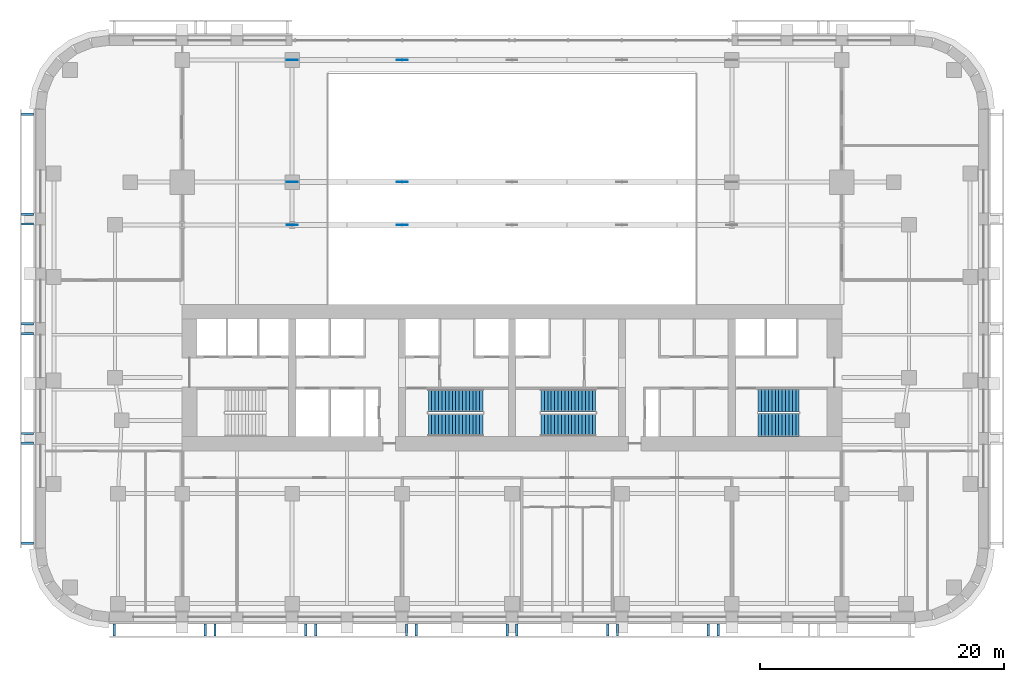
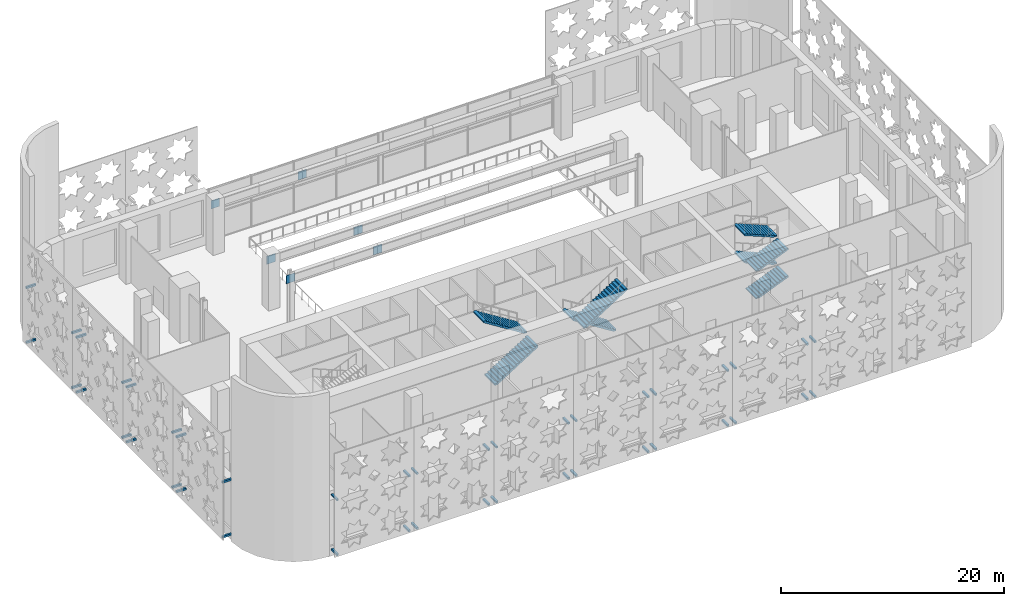
# One storey, part 9 of 17: 48 discrete accessories, 8 stair flights, 3 elements without a shape of their own.
"""IFC4 building model written with IfcOpenShell, lengths in metres."""

from ifc_helpers import new_model, si_unit, direction, frame, origin, origin_2d, place, context, subcontext, project, spatial, polyline, rectangle, outline, extrude, material, type_object, element, aggregate, save


model = new_model("IFC4")

# Units and contexts
model_context = context("Model", 3, precision=1e-05, world=origin(), true_north=direction((0.0, 1.0)))
body_context = subcontext(model_context, "Body", "Model", "MODEL_VIEW")
ifc_project = project(units=[si_unit("LENGTHUNIT", "METRE"), si_unit("AREAUNIT", "SQUARE_METRE"), si_unit("VOLUMEUNIT", "CUBIC_METRE"), si_unit("PLANEANGLEUNIT", "RADIAN"), si_unit("MASSUNIT", "GRAM", prefix="KILO")], contexts=[model_context])

# Site, building, storey
site_placement = place(None, origin())
site = spatial("IfcSite", under=ifc_project, at=site_placement, CompositionType="ELEMENT")
building_placement = place(site_placement, origin())
building = spatial("IfcBuilding", under=site, at=building_placement, Name="Zellij Exchange Tower", CompositionType="ELEMENT")
storey_placement = place(building_placement, frame((0.0, 0.0, 21.0)))
storey = spatial("IfcBuildingStorey", under=building, at=storey_placement, Name="L03", CompositionType="ELEMENT", Elevation=21.0)

# Stair, stair flights
ifc_material_1 = material(Name="Concrete C40/50", Category="concrete")
stair_type = type_object("IfcStairType", Name="CORE-ST exit stair 1850 wide", PredefinedType="HALF_TURN_STAIR", material=ifc_material_1)
stair_1_placement = place(storey_placement, origin())
stair_1 = element("IfcStair", 1, at=stair_1_placement, inside=storey, type_object=stair_type, Name="L03 exit stair ST4", PredefinedType="HALF_TURN_STAIR")
stair_flight_type_1 = type_object("IfcStairFlightType", Name="CORE-SF flight 1850 riser 115.4 going 280", PredefinedType="STRAIGHT", material=ifc_material_1)
stair_flight_1_placement = place(storey_placement, frame((20.14990234375, -11.875, 0.0), z_axis=(0.0, 0.0, 1.0), x_axis=(1.0, 0.0, 0.0)))
stair_flight_1 = element("IfcStairFlight", 2, at=stair_flight_1_placement, type_object=stair_flight_type_1, Name="ST4 flight 1", NumberOfRisers=13, NumberOfTreads=12, PredefinedType="STRAIGHT", RiserHeight=0.115384615, TreadLength=0.28, context=body_context, shape_type="SweptSolid", body=[
    extrude(outline(polyline([(0.0, 0.0), (0.0, 0.115478515625), (0.280029296875, 0.115478515625), (0.280029296875, 0.230712890625), (0.56005859375, 0.230712890625), (0.56005859375, 0.34619140625), (0.840087890625, 0.34619140625), (0.840087890625, 0.46142578125), (1.1201171875, 0.46142578125), (1.1201171875, 0.576904296875), (1.39990234375, 0.576904296875), (1.39990234375, 0.6923828125), (1.679931640625, 0.6923828125), (1.679931640625, 0.8076171875), (1.9599609375, 0.8076171875), (1.9599609375, 0.923095703125), (2.239990234375, 0.923095703125), (2.239990234375, 1.03857421875), (2.52001953125, 1.03857421875), (2.52001953125, 1.15380859375), (2.800048828125, 1.15380859375), (2.800048828125, 1.269287109375), (3.080078125, 1.269287109375), (3.080078125, 1.384521484375), (3.360107421875, 1.384521484375), (3.360107421875, 1.5), (3.360107421875, 1.222412109375), (0.3935546875, 0.0), (0.0, 0.0)])), frame((0.0, 0.925048828125, 0.0), z_axis=(0.0, -1.0, 0.0), x_axis=(1.0, 0.0, 0.0)), (0.0, 0.0, 1.0), 1.85009765625),
])
stair_flight_2_placement = place(storey_placement, frame((23.510009765625, -9.875, 1.5), z_axis=(0.0, 0.0, 1.0), x_axis=(-1.0, 0.0, 0.0)))
stair_flight_2 = element("IfcStairFlight", 3, at=stair_flight_2_placement, type_object=stair_flight_type_1, Name="ST4 flight 2", NumberOfRisers=13, NumberOfTreads=12, PredefinedType="STRAIGHT", RiserHeight=0.115384615, TreadLength=0.28, context=body_context, shape_type="SweptSolid", body=[
    extrude(outline(polyline([(0.0, 0.0), (0.0, 0.115478515625), (0.280029296875, 0.115478515625), (0.280029296875, 0.230712890625), (0.56005859375, 0.230712890625), (0.56005859375, 0.34619140625), (0.840087890625, 0.34619140625), (0.840087890625, 0.46142578125), (1.1201171875, 0.46142578125), (1.1201171875, 0.576904296875), (1.39990234375, 0.576904296875), (1.39990234375, 0.6923828125), (1.679931640625, 0.6923828125), (1.679931640625, 0.8076171875), (1.9599609375, 0.8076171875), (1.9599609375, 0.923095703125), (2.239990234375, 0.923095703125), (2.239990234375, 1.03857421875), (2.52001953125, 1.03857421875), (2.52001953125, 1.15380859375), (2.800048828125, 1.15380859375), (2.800048828125, 1.269287109375), (3.080078125, 1.269287109375), (3.080078125, 1.384521484375), (3.360107421875, 1.384521484375), (3.360107421875, 1.5), (3.360107421875, 1.222412109375), (0.3935546875, 0.0), (0.0, 0.0)])), frame((0.0, 0.925048828125, 0.0), z_axis=(0.0, -1.0, 0.0), x_axis=(1.0, 0.0, 0.0)), (0.0, 0.0, 1.0), 1.85009765625),
])
stair_flight_3_placement = place(storey_placement, frame((20.14990234375, -11.875, 3.0), z_axis=(0.0, 0.0, 1.0), x_axis=(1.0, 0.0, 0.0)))
stair_flight_3 = element("IfcStairFlight", 4, at=stair_flight_3_placement, type_object=stair_flight_type_1, Name="ST4 flight 3", NumberOfRisers=13, NumberOfTreads=12, PredefinedType="STRAIGHT", RiserHeight=0.115384615, TreadLength=0.28, context=body_context, shape_type="SweptSolid", body=[
    extrude(outline(polyline([(0.0, 0.0), (0.0, 0.115478515625), (0.280029296875, 0.115478515625), (0.280029296875, 0.230712890625), (0.56005859375, 0.230712890625), (0.56005859375, 0.34619140625), (0.840087890625, 0.34619140625), (0.840087890625, 0.46142578125), (1.1201171875, 0.46142578125), (1.1201171875, 0.576904296875), (1.39990234375, 0.576904296875), (1.39990234375, 0.6923828125), (1.679931640625, 0.6923828125), (1.679931640625, 0.8076171875), (1.9599609375, 0.8076171875), (1.9599609375, 0.923095703125), (2.239990234375, 0.923095703125), (2.239990234375, 1.03857421875), (2.52001953125, 1.03857421875), (2.52001953125, 1.15380859375), (2.800048828125, 1.15380859375), (2.800048828125, 1.269287109375), (3.080078125, 1.269287109375), (3.080078125, 1.384521484375), (3.360107421875, 1.384521484375), (3.360107421875, 1.5), (3.360107421875, 1.222412109375), (0.3935546875, 0.0), (0.0, 0.0)])), frame((0.0, 0.925048828125, 0.0), z_axis=(0.0, -1.0, 0.0), x_axis=(1.0, 0.0, 0.0)), (0.0, 0.0, 1.0), 1.85009765625),
])
stair_flight_4_placement = place(storey_placement, frame((23.510009765625, -9.875, 4.5), z_axis=(0.0, 0.0, 1.0), x_axis=(-1.0, 0.0, 0.0)))
stair_flight_4 = element("IfcStairFlight", 5, at=stair_flight_4_placement, type_object=stair_flight_type_1, Name="ST4 flight 4", NumberOfRisers=13, NumberOfTreads=12, PredefinedType="STRAIGHT", RiserHeight=0.115384615, TreadLength=0.28, context=body_context, shape_type="SweptSolid", body=[
    extrude(outline(polyline([(0.0, 0.0), (0.0, 0.115478515625), (0.280029296875, 0.115478515625), (0.280029296875, 0.230712890625), (0.56005859375, 0.230712890625), (0.56005859375, 0.34619140625), (0.840087890625, 0.34619140625), (0.840087890625, 0.46142578125), (1.1201171875, 0.46142578125), (1.1201171875, 0.576904296875), (1.39990234375, 0.576904296875), (1.39990234375, 0.6923828125), (1.679931640625, 0.6923828125), (1.679931640625, 0.8076171875), (1.9599609375, 0.8076171875), (1.9599609375, 0.923095703125), (2.239990234375, 0.923095703125), (2.239990234375, 1.03857421875), (2.52001953125, 1.03857421875), (2.52001953125, 1.15380859375), (2.800048828125, 1.15380859375), (2.800048828125, 1.269287109375), (3.080078125, 1.269287109375), (3.080078125, 1.384521484375), (3.360107421875, 1.384521484375), (3.360107421875, 1.5), (3.360107421875, 1.222412109375), (0.3935546875, 0.0), (0.0, 0.0)])), frame((0.0, 0.925048828125, 0.0), z_axis=(0.0, -1.0, 0.0), x_axis=(1.0, 0.0, 0.0)), (0.0, 0.0, 1.0), 1.85009765625),
])
aggregate(stair_1, [stair_flight_1, stair_flight_2, stair_flight_3, stair_flight_4])

stair_2_placement = place(storey_placement, origin())
stair_2 = element("IfcStair", 6, at=stair_2_placement, inside=storey, type_object=stair_type, Name="L03 exit stair ST2", PredefinedType="HALF_TURN_STAIR")
stair_flight_type_2 = type_object("IfcStairFlightType", Name="CORE-SF flight 1850 riser 176.5 going 280", PredefinedType="STRAIGHT", material=ifc_material_1)
stair_flight_5_placement = place(storey_placement, frame((-6.85009765625, -11.875, 0.0), z_axis=(0.0, 0.0, 1.0), x_axis=(1.0, 0.0, 0.0)))
stair_flight_5 = element("IfcStairFlight", 7, at=stair_flight_5_placement, type_object=stair_flight_type_2, Name="ST2 flight 1", NumberOfRisers=17, NumberOfTreads=16, PredefinedType="STRAIGHT", RiserHeight=0.176470588, TreadLength=0.28, context=body_context, shape_type="SweptSolid", body=[
    extrude(outline(polyline([(0.0, 0.0), (0.0, 0.176513671875), (0.280029296875, 0.176513671875), (0.280029296875, 0.35302734375), (0.56005859375, 0.35302734375), (0.56005859375, 0.529296875), (0.840087890625, 0.529296875), (0.840087890625, 0.705810546875), (1.1201171875, 0.705810546875), (1.1201171875, 0.88232421875), (1.39990234375, 0.88232421875), (1.39990234375, 1.058837890625), (1.679931640625, 1.058837890625), (1.679931640625, 1.2353515625), (1.9599609375, 1.2353515625), (1.9599609375, 1.411865234375), (2.239990234375, 1.411865234375), (2.239990234375, 1.588134765625), (2.52001953125, 1.588134765625), (2.52001953125, 1.7646484375), (2.800048828125, 1.7646484375), (2.800048828125, 1.941162109375), (3.080078125, 1.941162109375), (3.080078125, 2.11767578125), (3.360107421875, 2.11767578125), (3.360107421875, 2.294189453125), (3.639892578125, 2.294189453125), (3.639892578125, 2.470703125), (3.919921875, 2.470703125), (3.919921875, 2.64697265625), (4.199951171875, 2.64697265625), (4.199951171875, 2.823486328125), (4.47998046875, 2.823486328125), (4.47998046875, 3.0), (4.47998046875, 2.646240234375), (0.28125, 0.0), (0.0, 0.0)])), frame((0.0, 0.925048828125, 0.0), z_axis=(0.0, -1.0, 0.0), x_axis=(1.0, 0.0, 0.0)), (0.0, 0.0, 1.0), 1.85009765625),
])
stair_flight_6_placement = place(storey_placement, frame((-2.3701171875, -9.875, 3.0), z_axis=(0.0, 0.0, 1.0), x_axis=(-1.0, 0.0, 0.0)))
stair_flight_6 = element("IfcStairFlight", 8, at=stair_flight_6_placement, type_object=stair_flight_type_2, Name="ST2 flight 2", NumberOfRisers=17, NumberOfTreads=16, PredefinedType="STRAIGHT", RiserHeight=0.176470588, TreadLength=0.28, context=body_context, shape_type="SweptSolid", body=[
    extrude(outline(polyline([(0.0, 0.0), (0.0, 0.176513671875), (0.280029296875, 0.176513671875), (0.280029296875, 0.35302734375), (0.56005859375, 0.35302734375), (0.56005859375, 0.529296875), (0.840087890625, 0.529296875), (0.840087890625, 0.705810546875), (1.1201171875, 0.705810546875), (1.1201171875, 0.88232421875), (1.39990234375, 0.88232421875), (1.39990234375, 1.058837890625), (1.679931640625, 1.058837890625), (1.679931640625, 1.2353515625), (1.9599609375, 1.2353515625), (1.9599609375, 1.411865234375), (2.239990234375, 1.411865234375), (2.239990234375, 1.588134765625), (2.52001953125, 1.588134765625), (2.52001953125, 1.7646484375), (2.800048828125, 1.7646484375), (2.800048828125, 1.941162109375), (3.080078125, 1.941162109375), (3.080078125, 2.11767578125), (3.360107421875, 2.11767578125), (3.360107421875, 2.294189453125), (3.639892578125, 2.294189453125), (3.639892578125, 2.470703125), (3.919921875, 2.470703125), (3.919921875, 2.64697265625), (4.199951171875, 2.64697265625), (4.199951171875, 2.823486328125), (4.47998046875, 2.823486328125), (4.47998046875, 3.0), (4.47998046875, 2.646240234375), (0.28125, 0.0), (0.0, 0.0)])), frame((0.0, 0.925048828125, 0.0), z_axis=(0.0, -1.0, 0.0), x_axis=(1.0, 0.0, 0.0)), (0.0, 0.0, 1.0), 1.85009765625),
])
aggregate(stair_2, [stair_flight_5, stair_flight_6])

stair_3_placement = place(storey_placement, origin())
stair_3 = element("IfcStair", 9, at=stair_3_placement, inside=storey, type_object=stair_type, Name="L03 exit stair ST3", PredefinedType="HALF_TURN_STAIR")
stair_flight_7_placement = place(storey_placement, frame((6.85009765625, -9.875, 0.0), z_axis=(0.0, 0.0, 1.0), x_axis=(-1.0, 0.0, 0.0)))
stair_flight_7 = element("IfcStairFlight", 10, at=stair_flight_7_placement, type_object=stair_flight_type_2, Name="ST3 flight 1", NumberOfRisers=17, NumberOfTreads=16, PredefinedType="STRAIGHT", RiserHeight=0.176470588, TreadLength=0.28, context=body_context, shape_type="SweptSolid", body=[
    extrude(outline(polyline([(0.0, 0.0), (0.0, 0.176513671875), (0.280029296875, 0.176513671875), (0.280029296875, 0.35302734375), (0.56005859375, 0.35302734375), (0.56005859375, 0.529296875), (0.840087890625, 0.529296875), (0.840087890625, 0.705810546875), (1.1201171875, 0.705810546875), (1.1201171875, 0.88232421875), (1.39990234375, 0.88232421875), (1.39990234375, 1.058837890625), (1.679931640625, 1.058837890625), (1.679931640625, 1.2353515625), (1.9599609375, 1.2353515625), (1.9599609375, 1.411865234375), (2.239990234375, 1.411865234375), (2.239990234375, 1.588134765625), (2.52001953125, 1.588134765625), (2.52001953125, 1.7646484375), (2.800048828125, 1.7646484375), (2.800048828125, 1.941162109375), (3.080078125, 1.941162109375), (3.080078125, 2.11767578125), (3.360107421875, 2.11767578125), (3.360107421875, 2.294189453125), (3.639892578125, 2.294189453125), (3.639892578125, 2.470703125), (3.919921875, 2.470703125), (3.919921875, 2.64697265625), (4.199951171875, 2.64697265625), (4.199951171875, 2.823486328125), (4.47998046875, 2.823486328125), (4.47998046875, 3.0), (4.47998046875, 2.646240234375), (0.28125, 0.0), (0.0, 0.0)])), frame((0.0, 0.925048828125, 0.0), z_axis=(0.0, -1.0, 0.0), x_axis=(1.0, 0.0, 0.0)), (0.0, 0.0, 1.0), 1.85009765625),
])
stair_flight_8_placement = place(storey_placement, frame((2.3701171875, -11.875, 3.0), z_axis=(0.0, 0.0, 1.0), x_axis=(1.0, 0.0, 0.0)))
stair_flight_8 = element("IfcStairFlight", 11, at=stair_flight_8_placement, type_object=stair_flight_type_2, Name="ST3 flight 2", NumberOfRisers=17, NumberOfTreads=16, PredefinedType="STRAIGHT", RiserHeight=0.176470588, TreadLength=0.28, context=body_context, shape_type="SweptSolid", body=[
    extrude(outline(polyline([(0.0, 0.0), (0.0, 0.176513671875), (0.280029296875, 0.176513671875), (0.280029296875, 0.35302734375), (0.56005859375, 0.35302734375), (0.56005859375, 0.529296875), (0.840087890625, 0.529296875), (0.840087890625, 0.705810546875), (1.1201171875, 0.705810546875), (1.1201171875, 0.88232421875), (1.39990234375, 0.88232421875), (1.39990234375, 1.058837890625), (1.679931640625, 1.058837890625), (1.679931640625, 1.2353515625), (1.9599609375, 1.2353515625), (1.9599609375, 1.411865234375), (2.239990234375, 1.411865234375), (2.239990234375, 1.588134765625), (2.52001953125, 1.588134765625), (2.52001953125, 1.7646484375), (2.800048828125, 1.7646484375), (2.800048828125, 1.941162109375), (3.080078125, 1.941162109375), (3.080078125, 2.11767578125), (3.360107421875, 2.11767578125), (3.360107421875, 2.294189453125), (3.639892578125, 2.294189453125), (3.639892578125, 2.470703125), (3.919921875, 2.470703125), (3.919921875, 2.64697265625), (4.199951171875, 2.64697265625), (4.199951171875, 2.823486328125), (4.47998046875, 2.823486328125), (4.47998046875, 3.0), (4.47998046875, 2.646240234375), (0.28125, 0.0), (0.0, 0.0)])), frame((0.0, 0.925048828125, 0.0), z_axis=(0.0, -1.0, 0.0), x_axis=(1.0, 0.0, 0.0)), (0.0, 0.0, 1.0), 1.85009765625),
])
aggregate(stair_3, [stair_flight_7, stair_flight_8])

# Discrete accessories
ifc_material_2 = material(Name="Stainless steel", Category="steel")
discrete_accessory_type = type_object("IfcDiscreteAccessoryType", Name="ENV-BR1 Stone panel bracket 200", PredefinedType="USERDEFINED", material=ifc_material_2)
for number, where, z_axis, x_axis, name in (
    (12, (-39.64990234375, 13.547607421875, 0.2998046875), (0.0, 0.0, 1.0), (0.0, -1.0, 0.0), "Panel bracket"),
    (13, (-39.64990234375, 5.373779296875, 0.2998046875), (0.0, 0.0, 1.0), (0.0, -1.0, 0.0), "Panel bracket"),
    (14, (-39.64990234375, 13.547607421875, 6.2998046875), (0.0, 0.0, 1.0), (0.0, -1.0, 0.0), "Panel bracket"),
    (15, (-39.64990234375, 5.373779296875, 6.2998046875), (0.0, 0.0, 1.0), (0.0, -1.0, 0.0), "Panel bracket"),
    (16, (-39.64990234375, 4.57373046875, 0.2998046875), (0.0, 0.0, 1.0), (0.0, -1.0, 0.0), "Panel bracket"),
    (17, (-39.64990234375, -3.60009765625, 0.2998046875), (0.0, 0.0, 1.0), (0.0, -1.0, 0.0), "Panel bracket"),
    (18, (-39.64990234375, 4.57373046875, 6.2998046875), (0.0, 0.0, 1.0), (0.0, -1.0, 0.0), "Panel bracket"),
    (19, (-39.64990234375, -3.60009765625, 6.2998046875), (0.0, 0.0, 1.0), (0.0, -1.0, 0.0), "Panel bracket"),
    (20, (-39.64990234375, -4.39990234375, 0.2998046875), (0.0, 0.0, 1.0), (0.0, -1.0, 0.0), "Panel bracket"),
    (21, (-39.64990234375, -12.57373046875, 0.2998046875), (0.0, 0.0, 1.0), (0.0, -1.0, 0.0), "Panel bracket"),
    (22, (-39.64990234375, -4.39990234375, 6.2998046875), (0.0, 0.0, 1.0), (0.0, -1.0, 0.0), "Panel bracket"),
    (23, (-39.64990234375, -12.57373046875, 6.2998046875), (0.0, 0.0, 1.0), (0.0, -1.0, 0.0), "Panel bracket"),
    (24, (-39.64990234375, -13.373779296875, 0.2998046875), (0.0, 0.0, 1.0), (0.0, -1.0, 0.0), "Panel bracket"),
    (25, (-39.64990234375, -21.547607421875, 0.2998046875), (0.0, 0.0, 1.0), (0.0, -1.0, 0.0), "Panel bracket"),
    (26, (-39.64990234375, -13.373779296875, 6.2998046875), (0.0, 0.0, 1.0), (0.0, -1.0, 0.0), "Panel bracket"),
    (27, (-39.64990234375, -21.547607421875, 6.2998046875), (0.0, 0.0, 1.0), (0.0, -1.0, 0.0), "Panel bracket"),
    (28, (-32.547607421875, -28.64990234375, 0.2998046875), (0.0, 0.0, 1.0), (1.0, 0.0, 0.0), "Panel bracket"),
    (29, (-25.110595703125, -28.64990234375, 0.2998046875), (0.0, 0.0, 1.0), (1.0, 0.0, 0.0), "Panel bracket"),
    (30, (-32.547607421875, -28.64990234375, 6.2998046875), (0.0, 0.0, 1.0), (1.0, 0.0, 0.0), "Panel bracket"),
    (31, (-25.110595703125, -28.64990234375, 6.2998046875), (0.0, 0.0, 1.0), (1.0, 0.0, 0.0), "Panel bracket"),
    (32, (-24.310791015625, -28.64990234375, 0.2998046875), (0.0, 0.0, 1.0), (1.0, 0.0, 0.0), "Panel bracket"),
    (33, (-16.873779296875, -28.64990234375, 0.2998046875), (0.0, 0.0, 1.0), (1.0, 0.0, 0.0), "Panel bracket"),
    (34, (-24.310791015625, -28.64990234375, 6.2998046875), (0.0, 0.0, 1.0), (1.0, 0.0, 0.0), "Panel bracket"),
    (35, (-16.873779296875, -28.64990234375, 6.2998046875), (0.0, 0.0, 1.0), (1.0, 0.0, 0.0), "Panel bracket"),
    (36, (-16.07373046875, -28.64990234375, 0.2998046875), (0.0, 0.0, 1.0), (1.0, 0.0, 0.0), "Panel bracket"),
    (37, (-8.636962890625, -28.64990234375, 0.2998046875), (0.0, 0.0, 1.0), (1.0, 0.0, 0.0), "Panel bracket"),
    (38, (-16.07373046875, -28.64990234375, 6.2998046875), (0.0, 0.0, 1.0), (1.0, 0.0, 0.0), "Panel bracket"),
    (39, (-8.636962890625, -28.64990234375, 6.2998046875), (0.0, 0.0, 1.0), (1.0, 0.0, 0.0), "Panel bracket"),
    (40, (-7.8369140625, -28.64990234375, 0.2998046875), (0.0, 0.0, 1.0), (1.0, 0.0, 0.0), "Panel bracket"),
    (41, (-0.39990234375, -28.64990234375, 0.2998046875), (0.0, 0.0, 1.0), (1.0, 0.0, 0.0), "Panel bracket"),
    (42, (-7.8369140625, -28.64990234375, 6.2998046875), (0.0, 0.0, 1.0), (1.0, 0.0, 0.0), "Panel bracket"),
    (43, (-0.39990234375, -28.64990234375, 6.2998046875), (0.0, 0.0, 1.0), (1.0, 0.0, 0.0), "Panel bracket"),
    (44, (0.39990234375, -28.64990234375, 0.2998046875), (0.0, 0.0, 1.0), (1.0, 0.0, 0.0), "Panel bracket"),
    (45, (7.8369140625, -28.64990234375, 0.2998046875), (0.0, 0.0, 1.0), (1.0, 0.0, 0.0), "Panel bracket"),
    (46, (0.39990234375, -28.64990234375, 6.2998046875), (0.0, 0.0, 1.0), (1.0, 0.0, 0.0), "Panel bracket"),
    (47, (7.8369140625, -28.64990234375, 6.2998046875), (0.0, 0.0, 1.0), (1.0, 0.0, 0.0), "Panel bracket"),
    (48, (8.636962890625, -28.64990234375, 0.2998046875), (0.0, 0.0, 1.0), (1.0, 0.0, 0.0), "Panel bracket"),
    (49, (16.07373046875, -28.64990234375, 0.2998046875), (0.0, 0.0, 1.0), (1.0, 0.0, 0.0), "Panel bracket"),
    (50, (8.636962890625, -28.64990234375, 6.2998046875), (0.0, 0.0, 1.0), (1.0, 0.0, 0.0), "Panel bracket"),
    (51, (16.07373046875, -28.64990234375, 6.2998046875), (0.0, 0.0, 1.0), (1.0, 0.0, 0.0), "Panel bracket"),
    (52, (16.873779296875, -28.64990234375, 0.2998046875), (0.0, 0.0, 1.0), (1.0, 0.0, 0.0), "Panel bracket"),
    (53, (16.873779296875, -28.64990234375, 6.2998046875), (0.0, 0.0, 1.0), (1.0, 0.0, 0.0), "Panel bracket"),
):
    element("IfcDiscreteAccessory", number, at=place(storey_placement, frame(where, z_axis=z_axis, x_axis=x_axis)), inside=storey, type_object=discrete_accessory_type, Name=name, ObjectType="BRACKET", PredefinedType="USERDEFINED", context=body_context, shape_type="SweptSolid", body=[
        extrude(rectangle(XDim=0.199951171875, YDim=1.0, at=origin_2d()), origin(), (0.0, 0.0, 1.0), 0.199951171875),
    ])
for number, where, z_axis, x_axis, name in (
    (54, (-18.0, 4.5, 4.703857421875), (0.0, 0.0, 1.0), (1.0, 0.0, 0.0), "Gusset plate"),
    (55, (-9.0, 4.5, 4.703857421875), (0.0, 0.0, 1.0), (1.0, 0.0, 0.0), "Gusset plate"),
    (56, (-18.0, 8.0, 4.703857421875), (0.0, 0.0, 1.0), (1.0, 0.0, 0.0), "Gusset plate"),
    (57, (-9.0, 8.0, 4.703857421875), (0.0, 0.0, 1.0), (1.0, 0.0, 0.0), "Gusset plate"),
    (58, (-18.0, 18.0, 4.703857421875), (0.0, 0.0, 1.0), (1.0, 0.0, 0.0), "Gusset plate"),
    (59, (-9.0, 18.0, 4.703857421875), (0.0, 0.0, 1.0), (1.0, 0.0, 0.0), "Gusset plate"),
):
    element("IfcDiscreteAccessory", number, at=place(storey_placement, frame(where, z_axis=z_axis, x_axis=x_axis)), inside=storey, Name=name, PredefinedType="BRACKET", context=body_context, shape_type="SweptSolid", body=[
        extrude(rectangle(XDim=0.89990234375, YDim=0.030029296875, at=origin_2d()), origin(), (0.0, 0.0, 1.0), 0.89990234375),
    ])

save(model, "model.ifc")
